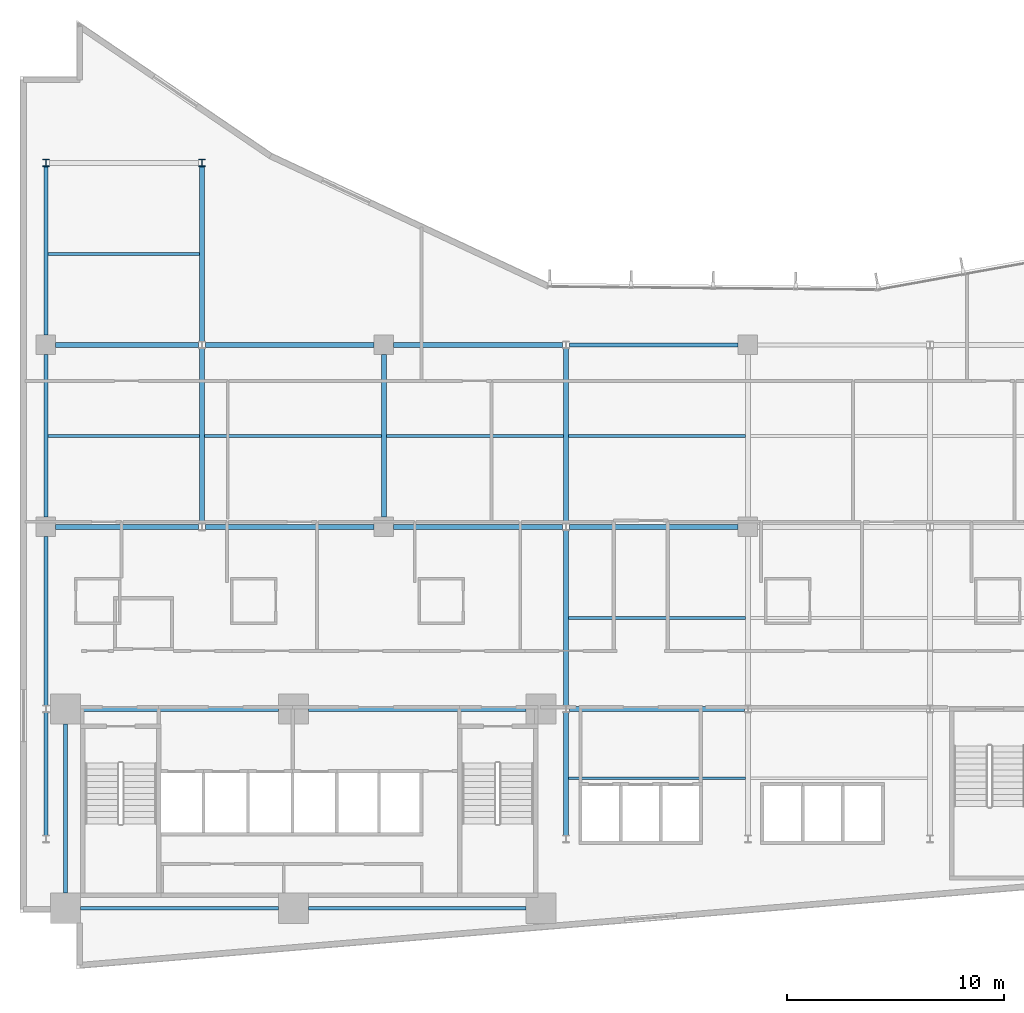
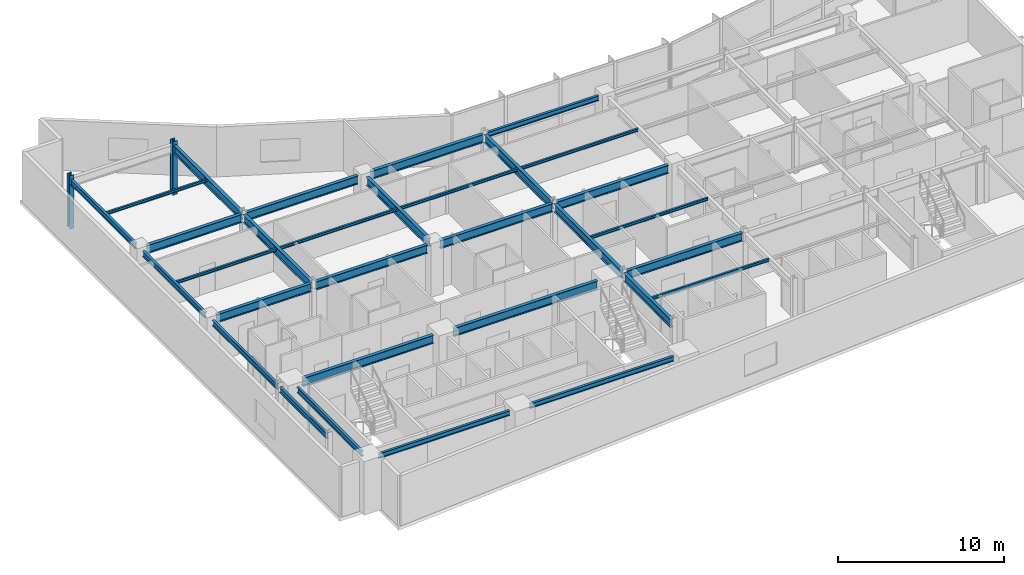
# One storey, part 3 of 19: 31 beams, 2 columns.
"""IFC4 building model written with IfcOpenShell, lengths in metres."""

from ifc_helpers import new_model, si_unit, direction, frame, origin, origin_2d, place, context, subcontext, project, spatial, i_section, extrude, material, material_profile, profile_set, type_object, element, save


model = new_model("IFC4")

# Units and contexts
model_context = context("Model", 3, precision=1e-05, world=origin(), true_north=direction((0.0, 1.0)))
body_context = subcontext(model_context, "Body", "Model", "MODEL_VIEW")
ifc_project = project(units=[si_unit("LENGTHUNIT", "METRE"), si_unit("AREAUNIT", "SQUARE_METRE"), si_unit("VOLUMEUNIT", "CUBIC_METRE"), si_unit("PLANEANGLEUNIT", "RADIAN"), si_unit("MASSUNIT", "GRAM", prefix="KILO")], contexts=[model_context])

# Site, building, storey
site_placement = place(None, origin())
site = spatial("IfcSite", under=ifc_project, at=site_placement, CompositionType="ELEMENT")
building_placement = place(site_placement, origin())
building = spatial("IfcBuilding", under=site, at=building_placement, Name="Varnakote Quay Hospital", CompositionType="ELEMENT")
storey_placement = place(building_placement, frame((0.0, 0.0, 93.60009765625)))
storey = spatial("IfcBuildingStorey", under=building, at=storey_placement, Name="L23", CompositionType="ELEMENT", Elevation=93.60009765625)

# Columns
ifc_material_1 = material(Name="Structural steel AS/NZS 3679.1 Grade 350 L0 (fy 340 MPa)", Category="steel")
ifc_material_profile_1 = material_profile(ifc_material_1, i_section(OverallWidth=0.31103515625, OverallDepth=0.326904296875, WebThickness=0.015625, FlangeThickness=0.02490234375, FilletRadius=0.0166015625, at=origin_2d()), Name="310UC158")
ifc_profile_set_1 = profile_set([ifc_material_profile_1], Name="Structural steel AS/NZS 3679.1 Grade 350 L0 (fy 340 MPa)")
column_type = type_object("IfcColumnType", Name="COL-STL-310UC158", PredefinedType="COLUMN", material=ifc_profile_set_1)
for number, where, z_axis, x_axis, name in (
    (1, (1.199951171875, 37.199951171875, 0.0), (0.0, 0.0, 1.0), (1.0, 0.0, 0.0), "L23 Structural Column C-1-37"),
    (2, (8.39990234375, 37.199951171875, 0.0), (0.0, 0.0, 1.0), (1.0, 0.0, 0.0), "L23 Structural Column C-8-37"),
):
    element("IfcColumn", number, at=place(storey_placement, frame(where, z_axis=z_axis, x_axis=x_axis)), inside=storey, type_object=column_type, Name=name, PredefinedType="COLUMN", context=body_context, shape_type="SweptSolid", body=[
        extrude(i_section(OverallWidth=0.31103515625, OverallDepth=0.326904296875, WebThickness=0.015625, FlangeThickness=0.02490234375, FilletRadius=0.0166015625, at=origin_2d()), origin(), (0.0, 0.0, 1.0), 3.949951171875),
    ])

# Beams
ifc_material_2 = material(Name="Structural steel AS/NZS 3679.1 Grade 350 L0 (fy 340 MPa)", Category="steel")
ifc_material_profile_2 = material_profile(ifc_material_2, i_section(OverallWidth=0.22900390625, OverallDepth=0.612060546875, WebThickness=0.011962890625, FlangeThickness=0.01953125, FilletRadius=0.013916015625, at=origin_2d()), Name="610UB125")
ifc_profile_set_2 = profile_set([ifc_material_profile_2], Name="Structural steel AS/NZS 3679.1 Grade 350 L0 (fy 340 MPa)")
beam_type_1 = type_object("IfcBeamType", Name="BM-STL-610UB125", PredefinedType="BEAM", material=ifc_profile_set_2)
beam_1_placement = place(storey_placement, frame((2.800048828125, 12.0, 3.364013671875), z_axis=(1.0, 0.0, 0.0), x_axis=(0.0, 1.0, 0.0)))
element("IfcBeam", 3, at=beam_1_placement, inside=storey, type_object=beam_type_1, Name="L23 Primary Floor Beam", PredefinedType="BEAM", context=body_context, shape_type="SweptSolid", body=[
    extrude(i_section(OverallWidth=0.22900390625, OverallDepth=0.612060546875, WebThickness=0.011962890625, FlangeThickness=0.01953125, FilletRadius=0.013916015625, at=origin_2d()), origin(), (0.0, 0.0, 1.0), 9.119873046875),
])
beam_2_placement = place(storey_placement, frame((13.320068359375, 12.0, 3.364013671875), z_axis=(1.0, 0.0, 0.0), x_axis=(0.0, 1.0, 0.0)))
element("IfcBeam", 4, at=beam_2_placement, inside=storey, type_object=beam_type_1, Name="L23 Primary Floor Beam", PredefinedType="BEAM", context=body_context, shape_type="SweptSolid", body=[
    extrude(i_section(OverallWidth=0.22900390625, OverallDepth=0.612060546875, WebThickness=0.011962890625, FlangeThickness=0.01953125, FilletRadius=0.013916015625, at=origin_2d()), origin(), (0.0, 0.0, 1.0), 10.030029296875),
])
beam_3_placement = place(storey_placement, frame((25.35546875, 12.0, 3.364013671875), z_axis=(1.0, 0.0, 0.0), x_axis=(0.0, 1.0, 0.0)))
element("IfcBeam", 5, at=beam_3_placement, inside=storey, type_object=beam_type_1, Name="L23 Primary Floor Beam", PredefinedType="BEAM", context=body_context, shape_type="SweptSolid", body=[
    extrude(i_section(OverallWidth=0.22900390625, OverallDepth=0.612060546875, WebThickness=0.011962890625, FlangeThickness=0.01953125, FilletRadius=0.013916015625, at=origin_2d()), origin(), (0.0, 0.0, 1.0), 8.089111328125),
])
beam_4_placement = place(storey_placement, frame((1.64990234375, 20.39990234375, 3.364013671875), z_axis=(1.0, 0.0, 0.0), x_axis=(0.0, 1.0, 0.0)))
element("IfcBeam", 6, at=beam_4_placement, inside=storey, type_object=beam_type_1, Name="L23 Primary Floor Beam", PredefinedType="BEAM", context=body_context, shape_type="SweptSolid", body=[
    extrude(i_section(OverallWidth=0.22900390625, OverallDepth=0.612060546875, WebThickness=0.011962890625, FlangeThickness=0.01953125, FilletRadius=0.013916015625, at=origin_2d()), origin(), (0.0, 0.0, 1.0), 6.594482421875),
])
beam_5_placement = place(storey_placement, frame((8.555419921875, 20.39990234375, 3.364013671875), z_axis=(1.0, 0.0, 0.0), x_axis=(0.0, 1.0, 0.0)))
element("IfcBeam", 7, at=beam_5_placement, inside=storey, type_object=beam_type_1, Name="L23 Primary Floor Beam", PredefinedType="BEAM", context=body_context, shape_type="SweptSolid", body=[
    extrude(i_section(OverallWidth=0.22900390625, OverallDepth=0.612060546875, WebThickness=0.011962890625, FlangeThickness=0.01953125, FilletRadius=0.013916015625, at=origin_2d()), origin(), (0.0, 0.0, 1.0), 7.794677734375),
])
for number, where, z_axis, x_axis, name in (
    (8, (17.25, 20.39990234375, 3.364013671875), (1.0, 0.0, 0.0), (0.0, 1.0, 0.0), "L23 Primary Floor Beam"),
    (9, (25.35546875, 20.39990234375, 3.364013671875), (1.0, 0.0, 0.0), (0.0, 1.0, 0.0), "L23 Primary Floor Beam"),
):
    element("IfcBeam", number, at=place(storey_placement, frame(where, z_axis=z_axis, x_axis=x_axis)), inside=storey, type_object=beam_type_1, Name=name, PredefinedType="BEAM", context=body_context, shape_type="SweptSolid", body=[
        extrude(i_section(OverallWidth=0.22900390625, OverallDepth=0.612060546875, WebThickness=0.011962890625, FlangeThickness=0.01953125, FilletRadius=0.013916015625, at=origin_2d()), origin(), (0.0, 0.0, 1.0), 7.79443359375),
    ])
beam_6_placement = place(storey_placement, frame((1.64990234375, 28.800048828125, 3.364013671875), z_axis=(1.0, 0.0, 0.0), x_axis=(0.0, 1.0, 0.0)))
element("IfcBeam", 10, at=beam_6_placement, inside=storey, type_object=beam_type_1, Name="L23 Primary Floor Beam", PredefinedType="BEAM", context=body_context, shape_type="SweptSolid", body=[
    extrude(i_section(OverallWidth=0.22900390625, OverallDepth=0.612060546875, WebThickness=0.011962890625, FlangeThickness=0.01953125, FilletRadius=0.013916015625, at=origin_2d()), origin(), (0.0, 0.0, 1.0), 6.594482421875),
])
beam_7_placement = place(storey_placement, frame((8.555419921875, 28.800048828125, 3.364013671875), z_axis=(1.0, 0.0, 0.0), x_axis=(0.0, 1.0, 0.0)))
element("IfcBeam", 11, at=beam_7_placement, inside=storey, type_object=beam_type_1, Name="L23 Primary Floor Beam", PredefinedType="BEAM", context=body_context, shape_type="SweptSolid", body=[
    extrude(i_section(OverallWidth=0.22900390625, OverallDepth=0.612060546875, WebThickness=0.011962890625, FlangeThickness=0.01953125, FilletRadius=0.013916015625, at=origin_2d()), origin(), (0.0, 0.0, 1.0), 7.794677734375),
])
beam_8_placement = place(storey_placement, frame((17.25, 28.800048828125, 3.364013671875), z_axis=(1.0, 0.0, 0.0), x_axis=(0.0, 1.0, 0.0)))
element("IfcBeam", 12, at=beam_8_placement, inside=storey, type_object=beam_type_1, Name="L23 Primary Floor Beam", PredefinedType="BEAM", context=body_context, shape_type="SweptSolid", body=[
    extrude(i_section(OverallWidth=0.22900390625, OverallDepth=0.612060546875, WebThickness=0.011962890625, FlangeThickness=0.01953125, FilletRadius=0.013916015625, at=origin_2d()), origin(), (0.0, 0.0, 1.0), 7.79443359375),
])
beam_9_placement = place(storey_placement, frame((8.39990234375, 20.5634765625, 3.364013671875), z_axis=(0.0, 1.0, 0.0), x_axis=(-1.0, 0.0, 0.0)))
element("IfcBeam", 13, at=beam_9_placement, inside=storey, type_object=beam_type_1, Name="L23 Primary Tie Beam", PredefinedType="BEAM", context=body_context, shape_type="SweptSolid", body=[
    extrude(i_section(OverallWidth=0.22900390625, OverallDepth=0.612060546875, WebThickness=0.011962890625, FlangeThickness=0.01953125, FilletRadius=0.013916015625, at=origin_2d()), origin(), (0.0, 0.0, 1.0), 8.072998046875),
])
beam_10_placement = place(storey_placement, frame((8.39990234375, 28.96337890625, 3.364013671875), z_axis=(0.0, 1.0, 0.0), x_axis=(-1.0, 0.0, 0.0)))
element("IfcBeam", 14, at=beam_10_placement, inside=storey, type_object=beam_type_1, Name="L23 Primary Tie Beam", PredefinedType="BEAM", context=body_context, shape_type="SweptSolid", body=[
    extrude(i_section(OverallWidth=0.22900390625, OverallDepth=0.612060546875, WebThickness=0.011962890625, FlangeThickness=0.01953125, FilletRadius=0.013916015625, at=origin_2d()), origin(), (0.0, 0.0, 1.0), 8.0732421875),
])
beam_11_placement = place(storey_placement, frame((16.800048828125, 20.85009765625, 3.364013671875), z_axis=(0.0, 1.0, 0.0), x_axis=(-1.0, 0.0, 0.0)))
element("IfcBeam", 15, at=beam_11_placement, inside=storey, type_object=beam_type_1, Name="L23 Primary Tie Beam", PredefinedType="BEAM", context=body_context, shape_type="SweptSolid", body=[
    extrude(i_section(OverallWidth=0.22900390625, OverallDepth=0.612060546875, WebThickness=0.011962890625, FlangeThickness=0.01953125, FilletRadius=0.013916015625, at=origin_2d()), origin(), (0.0, 0.0, 1.0), 7.5),
])
beam_12_placement = place(storey_placement, frame((25.199951171875, 6.16357421875, 3.364013671875), z_axis=(0.0, 1.0, 0.0), x_axis=(-1.0, 0.0, 0.0)))
element("IfcBeam", 16, at=beam_12_placement, inside=storey, type_object=beam_type_1, Name="L23 Primary Tie Beam", PredefinedType="BEAM", context=body_context, shape_type="SweptSolid", body=[
    extrude(i_section(OverallWidth=0.22900390625, OverallDepth=0.612060546875, WebThickness=0.011962890625, FlangeThickness=0.01953125, FilletRadius=0.013916015625, at=origin_2d()), origin(), (0.0, 0.0, 1.0), 5.6728515625),
])
for number, where, z_axis, x_axis, name in (
    (17, (25.199951171875, 12.16357421875, 3.364013671875), (0.0, 1.0, 0.0), (-1.0, 0.0, 0.0), "L23 Primary Tie Beam"),
    (18, (25.199951171875, 20.5634765625, 3.364013671875), (0.0, 1.0, 0.0), (-1.0, 0.0, 0.0), "L23 Primary Tie Beam"),
):
    element("IfcBeam", number, at=place(storey_placement, frame(where, z_axis=z_axis, x_axis=x_axis)), inside=storey, type_object=beam_type_1, Name=name, PredefinedType="BEAM", context=body_context, shape_type="SweptSolid", body=[
        extrude(i_section(OverallWidth=0.22900390625, OverallDepth=0.612060546875, WebThickness=0.011962890625, FlangeThickness=0.01953125, FilletRadius=0.013916015625, at=origin_2d()), origin(), (0.0, 0.0, 1.0), 8.072998046875),
    ])
ifc_material_3 = material(Name="Structural steel AS/NZS 3679.1 Grade 350 L0 (fy 340 MPa)", Category="steel")
ifc_material_profile_3 = material_profile(ifc_material_3, i_section(OverallWidth=0.134033203125, OverallDepth=0.20703125, WebThickness=0.00634765625, FlangeThickness=0.009521484375, FilletRadius=0.0087890625, at=origin_2d()), Name="200UB29.8")
ifc_profile_set_3 = profile_set([ifc_material_profile_3], Name="Structural steel AS/NZS 3679.1 Grade 350 L0 (fy 340 MPa)")
beam_type_2 = type_object("IfcBeamType", Name="JST-STL-200UB29-8", PredefinedType="JOIST", material=ifc_profile_set_3)
for number, where, z_axis, x_axis, name in (
    (19, (25.314453125, 8.800048828125, 3.56640625), (1.0, 0.0, 0.0), (0.0, 1.0, 0.0), "L23 Composite Floor Joist"),
    (20, (25.314453125, 16.199951171875, 3.56640625), (1.0, 0.0, 0.0), (0.0, 1.0, 0.0), "L23 Composite Floor Joist"),
):
    element("IfcBeam", number, at=place(storey_placement, frame(where, z_axis=z_axis, x_axis=x_axis)), inside=storey, type_object=beam_type_2, Name=name, PredefinedType="JOIST", context=body_context, shape_type="SweptSolid", body=[
        extrude(i_section(OverallWidth=0.134033203125, OverallDepth=0.20703125, WebThickness=0.00634765625, FlangeThickness=0.009521484375, FilletRadius=0.0087890625, at=origin_2d()), origin(), (0.0, 0.0, 1.0), 8.171142578125),
    ])
beam_13_placement = place(storey_placement, frame((1.2890625, 24.60009765625, 3.56640625), z_axis=(1.0, 0.0, 0.0), x_axis=(0.0, 1.0, 0.0)))
element("IfcBeam", 21, at=beam_13_placement, inside=storey, type_object=beam_type_2, Name="L23 Composite Floor Joist", PredefinedType="JOIST", context=body_context, shape_type="SweptSolid", body=[
    extrude(i_section(OverallWidth=0.134033203125, OverallDepth=0.20703125, WebThickness=0.00634765625, FlangeThickness=0.009521484375, FilletRadius=0.0087890625, at=origin_2d()), origin(), (0.0, 0.0, 1.0), 6.996337890625),
])
beam_14_placement = place(storey_placement, frame((8.514404296875, 24.60009765625, 3.56640625), z_axis=(1.0, 0.0, 0.0), x_axis=(0.0, 1.0, 0.0)))
element("IfcBeam", 22, at=beam_14_placement, inside=storey, type_object=beam_type_2, Name="L23 Composite Floor Joist", PredefinedType="JOIST", context=body_context, shape_type="SweptSolid", body=[
    extrude(i_section(OverallWidth=0.134033203125, OverallDepth=0.20703125, WebThickness=0.00634765625, FlangeThickness=0.009521484375, FilletRadius=0.0087890625, at=origin_2d()), origin(), (0.0, 0.0, 1.0), 8.171142578125),
])
beam_15_placement = place(storey_placement, frame((16.91455078125, 24.60009765625, 3.56640625), z_axis=(1.0, 0.0, 0.0), x_axis=(0.0, 1.0, 0.0)))
element("IfcBeam", 23, at=beam_15_placement, inside=storey, type_object=beam_type_2, Name="L23 Composite Floor Joist", PredefinedType="JOIST", context=body_context, shape_type="SweptSolid", body=[
    extrude(i_section(OverallWidth=0.134033203125, OverallDepth=0.20703125, WebThickness=0.00634765625, FlangeThickness=0.009521484375, FilletRadius=0.0087890625, at=origin_2d()), origin(), (0.0, 0.0, 1.0), 8.1708984375),
])
beam_16_placement = place(storey_placement, frame((25.314453125, 24.60009765625, 3.56640625), z_axis=(1.0, 0.0, 0.0), x_axis=(0.0, 1.0, 0.0)))
element("IfcBeam", 24, at=beam_16_placement, inside=storey, type_object=beam_type_2, Name="L23 Composite Floor Joist", PredefinedType="JOIST", context=body_context, shape_type="SweptSolid", body=[
    extrude(i_section(OverallWidth=0.134033203125, OverallDepth=0.20703125, WebThickness=0.00634765625, FlangeThickness=0.009521484375, FilletRadius=0.0087890625, at=origin_2d()), origin(), (0.0, 0.0, 1.0), 8.171142578125),
])
beam_17_placement = place(storey_placement, frame((1.2890625, 33.0, 3.56640625), z_axis=(1.0, 0.0, 0.0), x_axis=(0.0, 1.0, 0.0)))
element("IfcBeam", 25, at=beam_17_placement, inside=storey, type_object=beam_type_2, Name="L23 Composite Floor Joist", PredefinedType="JOIST", context=body_context, shape_type="SweptSolid", body=[
    extrude(i_section(OverallWidth=0.134033203125, OverallDepth=0.20703125, WebThickness=0.00634765625, FlangeThickness=0.009521484375, FilletRadius=0.0087890625, at=origin_2d()), origin(), (0.0, 0.0, 1.0), 6.996337890625),
])
ifc_material_4 = material(Name="Structural steel AS/NZS 3679.1 Grade 350 L0 (fy 340 MPa)", Category="steel")
ifc_material_profile_4 = material_profile(ifc_material_4, i_section(OverallWidth=0.172119140625, OverallDepth=0.35888671875, WebThickness=0.008056640625, FlangeThickness=0.012939453125, FilletRadius=0.011474609375, at=origin_2d()), Name="360UB56.7")
ifc_profile_set_4 = profile_set([ifc_material_profile_4], Name="Structural steel AS/NZS 3679.1 Grade 350 L0 (fy 340 MPa)")
beam_type_3 = type_object("IfcBeamType", Name="SPN-STL-360UB56-7", PredefinedType="SPANDREL", material=ifc_profile_set_4)
beam_18_placement = place(storey_placement, frame((2.800048828125, 2.800048828125, 3.490478515625), z_axis=(1.0, 0.0, 0.0), x_axis=(0.0, 1.0, 0.0)))
element("IfcBeam", 26, at=beam_18_placement, inside=storey, type_object=beam_type_3, Name="L23 Perimeter Spandrel Beam", PredefinedType="SPANDREL", context=body_context, shape_type="SweptSolid", body=[
    extrude(i_section(OverallWidth=0.172119140625, OverallDepth=0.35888671875, WebThickness=0.008056640625, FlangeThickness=0.012939453125, FilletRadius=0.011474609375, at=origin_2d()), origin(), (0.0, 0.0, 1.0), 9.119873046875),
])
beam_19_placement = place(storey_placement, frame((13.320068359375, 2.800048828125, 3.490478515625), z_axis=(1.0, 0.0, 0.0), x_axis=(0.0, 1.0, 0.0)))
element("IfcBeam", 27, at=beam_19_placement, inside=storey, type_object=beam_type_3, Name="L23 Perimeter Spandrel Beam", PredefinedType="SPANDREL", context=body_context, shape_type="SweptSolid", body=[
    extrude(i_section(OverallWidth=0.172119140625, OverallDepth=0.35888671875, WebThickness=0.008056640625, FlangeThickness=0.012939453125, FilletRadius=0.011474609375, at=origin_2d()), origin(), (0.0, 0.0, 1.0), 10.030029296875),
])
beam_20_placement = place(storey_placement, frame((25.35546875, 28.800048828125, 3.490478515625), z_axis=(1.0, 0.0, 0.0), x_axis=(0.0, 1.0, 0.0)))
element("IfcBeam", 28, at=beam_20_placement, inside=storey, type_object=beam_type_3, Name="L23 Perimeter Spandrel Beam", PredefinedType="SPANDREL", context=body_context, shape_type="SweptSolid", body=[
    extrude(i_section(OverallWidth=0.172119140625, OverallDepth=0.35888671875, WebThickness=0.008056640625, FlangeThickness=0.012939453125, FilletRadius=0.011474609375, at=origin_2d()), origin(), (0.0, 0.0, 1.0), 7.79443359375),
])
ifc_material_5 = material(Name="Structural steel AS/NZS 3679.1 Grade 350 L0 (fy 340 MPa)", Category="steel")
ifc_material_profile_5 = material_profile(ifc_material_5, i_section(OverallWidth=0.177978515625, OverallDepth=0.403076171875, WebThickness=0.007568359375, FlangeThickness=0.010986328125, FilletRadius=0.011474609375, at=origin_2d()), Name="410UB53.7")
ifc_profile_set_5 = profile_set([ifc_material_profile_5], Name="Structural steel AS/NZS 3679.1 Grade 350 L0 (fy 340 MPa)")
beam_type_4 = type_object("IfcBeamType", Name="SPN-STL-410UB53-7", PredefinedType="SPANDREL", material=ifc_profile_set_5)
beam_21_placement = place(storey_placement, frame((1.199951171875, 6.16357421875, 3.468505859375), z_axis=(0.0, 1.0, 0.0), x_axis=(-1.0, 0.0, 0.0)))
element("IfcBeam", 29, at=beam_21_placement, inside=storey, type_object=beam_type_4, Name="L23 Perimeter Spandrel Beam", PredefinedType="SPANDREL", context=body_context, shape_type="SweptSolid", body=[
    extrude(i_section(OverallWidth=0.177978515625, OverallDepth=0.403076171875, WebThickness=0.007568359375, FlangeThickness=0.010986328125, FilletRadius=0.011474609375, at=origin_2d()), origin(), (0.0, 0.0, 1.0), 5.6728515625),
])
beam_22_placement = place(storey_placement, frame((1.199951171875, 12.16357421875, 3.468505859375), z_axis=(0.0, 1.0, 0.0), x_axis=(-1.0, 0.0, 0.0)))
element("IfcBeam", 30, at=beam_22_placement, inside=storey, type_object=beam_type_4, Name="L23 Perimeter Spandrel Beam", PredefinedType="SPANDREL", context=body_context, shape_type="SweptSolid", body=[
    extrude(i_section(OverallWidth=0.177978515625, OverallDepth=0.403076171875, WebThickness=0.007568359375, FlangeThickness=0.010986328125, FilletRadius=0.011474609375, at=origin_2d()), origin(), (0.0, 0.0, 1.0), 7.786376953125),
])
beam_23_placement = place(storey_placement, frame((1.199951171875, 20.85009765625, 3.468505859375), z_axis=(0.0, 1.0, 0.0), x_axis=(-1.0, 0.0, 0.0)))
element("IfcBeam", 31, at=beam_23_placement, inside=storey, type_object=beam_type_4, Name="L23 Perimeter Spandrel Beam", PredefinedType="SPANDREL", context=body_context, shape_type="SweptSolid", body=[
    extrude(i_section(OverallWidth=0.177978515625, OverallDepth=0.403076171875, WebThickness=0.007568359375, FlangeThickness=0.010986328125, FilletRadius=0.011474609375, at=origin_2d()), origin(), (0.0, 0.0, 1.0), 7.5),
])
beam_24_placement = place(storey_placement, frame((1.199951171875, 29.25, 3.468505859375), z_axis=(0.0, 1.0, 0.0), x_axis=(-1.0, 0.0, 0.0)))
element("IfcBeam", 32, at=beam_24_placement, inside=storey, type_object=beam_type_4, Name="L23 Perimeter Spandrel Beam", PredefinedType="SPANDREL", context=body_context, shape_type="SweptSolid", body=[
    extrude(i_section(OverallWidth=0.177978515625, OverallDepth=0.403076171875, WebThickness=0.007568359375, FlangeThickness=0.010986328125, FilletRadius=0.011474609375, at=origin_2d()), origin(), (0.0, 0.0, 1.0), 7.78662109375),
])
beam_25_placement = place(storey_placement, frame((2.10009765625, 3.5, 3.468505859375), z_axis=(0.0, 1.0, 0.0), x_axis=(-1.0, 0.0, 0.0)))
element("IfcBeam", 33, at=beam_25_placement, inside=storey, type_object=beam_type_4, Name="L23 Perimeter Spandrel Beam", PredefinedType="SPANDREL", context=body_context, shape_type="SweptSolid", body=[
    extrude(i_section(OverallWidth=0.177978515625, OverallDepth=0.403076171875, WebThickness=0.007568359375, FlangeThickness=0.010986328125, FilletRadius=0.011474609375, at=origin_2d()), origin(), (0.0, 0.0, 1.0), 7.800048828125),
])

save(model, "model.ifc")
